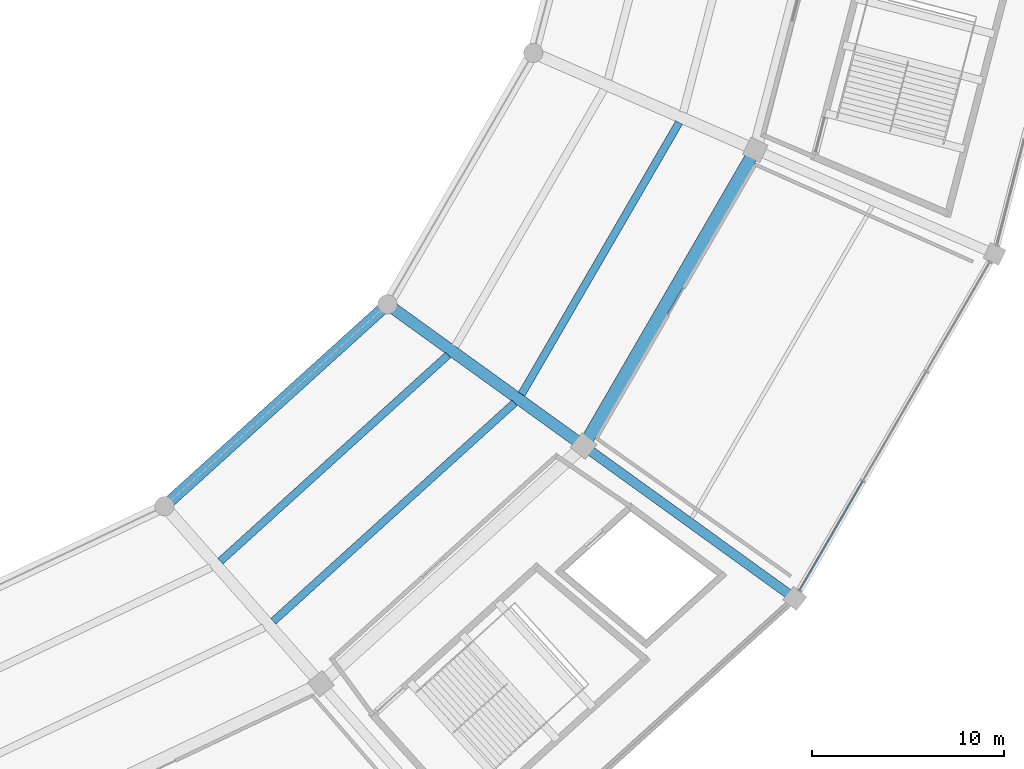
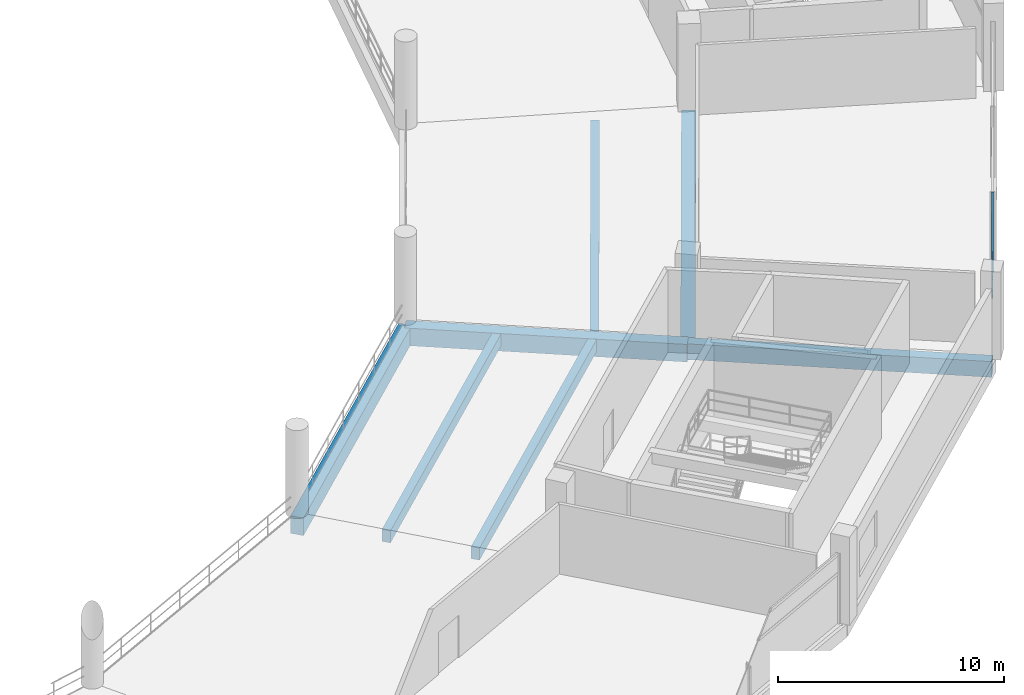
# One storey, part 60 of 171: 7 beams, 2 members, 1 element without a shape of its own.
"""IFC4 building model written with IfcOpenShell, lengths in metres."""

import ifcopenshell
import ifcopenshell.guid

model = None  # the IFC model being written
_history = None  # IfcOwnerHistory: only IFC2X3 demands one
_inside = {}  # id of a spatial element -> (the spatial element, [elements in it])
_under = {}  # id of a project, library or spatial element -> (it, [spatial elements below it])
_declared = {}  # id of a project -> (the project, [libraries it declares])
_typed = {}  # id of a type object -> (the type object, [elements of that type])
_made_of = {}  # id of a material, layer set ... -> (it, [elements and type objects made of it])


def new_model(schema):
    """Start an empty IFC model of exactly this schema.

    Asked for "IFC4X3", IfcOpenShell would pick the latest addendum, in which some entities
    have other attributes; the version numbers below select the first issue.
    IFC2X3 requires an IfcOwnerHistory on every rooted entity: one is made here for all.
    """
    global model, _history
    if schema == "IFC4X3":
        model = ifcopenshell.file(schema_version=(4, 3, 0, 0))
    else:
        model = ifcopenshell.file(schema=schema)
    _inside.clear()
    _under.clear()
    _declared.clear()
    _typed.clear()
    _made_of.clear()
    _history = None
    if model.schema == "IFC2X3":
        org = make("IfcOrganization", Name="unknown")
        user = make(
            "IfcPersonAndOrganization",
            ThePerson=make("IfcPerson", FamilyName="unknown"),
            TheOrganization=org,
        )
        app = make(
            "IfcApplication",
            ApplicationDeveloper=org,
            Version="unknown",
            ApplicationFullName="unknown",
            ApplicationIdentifier="unknown",
        )
        _history = make(
            "IfcOwnerHistory",
            OwningUser=user,
            OwningApplication=app,
            ChangeAction="ADDED",
            CreationDate=0,
        )
    return model


def make(cls, **values):
    """One entity of the class cls with the attributes given. An attribute that is None is left unset."""
    return model.create_entity(
        cls, **{name: value for name, value in values.items() if value is not None}
    )


def rooted(cls, **values):
    """An entity with a GlobalId (a new one), such as an element, a storey or a relation."""
    return make(cls, GlobalId=ifcopenshell.guid.new(), OwnerHistory=_history, **values)


def si_unit(unit_type, name, prefix=None):
    """IfcSIUnit, for example si_unit("LENGTHUNIT", "METRE", prefix="MILLI")."""
    return make("IfcSIUnit", UnitType=unit_type, Prefix=prefix, Name=name)


def assignment(units):
    """IfcUnitAssignment: the units of a project."""
    return None if units is None else make("IfcUnitAssignment", Units=units)


def point(xyz):
    """IfcCartesianPoint."""
    return None if xyz is None else make("IfcCartesianPoint", Coordinates=xyz)


def direction(xyz):
    """IfcDirection."""
    return None if xyz is None else make("IfcDirection", DirectionRatios=xyz)


def frame(location, z_axis=None, x_axis=None):
    """IfcAxis2Placement3D, a coordinate frame: its origin and axes. An axis left out is left unset."""
    return make(
        "IfcAxis2Placement3D",
        Location=point(location),
        Axis=direction(z_axis),
        RefDirection=direction(x_axis),
    )


def frame_2d(location, x_axis=None):
    """IfcAxis2Placement2D, a coordinate frame in the plane: its origin and x axis."""
    return make(
        "IfcAxis2Placement2D", Location=point(location), RefDirection=direction(x_axis)
    )


def origin():
    """The frame at (0, 0, 0) with its axes left unset."""
    return frame((0.0, 0.0, 0.0))


def origin_2d():
    """The frame at (0, 0) in the plane with its x axis left unset."""
    return frame_2d((0.0, 0.0))


def place(relative_to, where):
    """IfcLocalPlacement: puts the frame where relative to a parent placement (None: the world)."""
    return make(
        "IfcLocalPlacement", PlacementRelTo=relative_to, RelativePlacement=where
    )


def context(
    kind, dimensions, precision=None, world=None, true_north=None, identifier=None
):
    """IfcGeometricRepresentationContext, for example the 3D "Model" context."""
    return make(
        "IfcGeometricRepresentationContext",
        ContextIdentifier=identifier,
        ContextType=kind,
        CoordinateSpaceDimension=dimensions,
        Precision=precision,
        WorldCoordinateSystem=world,
        TrueNorth=true_north,
    )


def subcontext(parent, identifier, kind, view, scale=None):
    """IfcGeometricRepresentationSubContext, for example "Body" below "Model"."""
    return make(
        "IfcGeometricRepresentationSubContext",
        ContextIdentifier=identifier,
        ContextType=kind,
        ParentContext=parent,
        TargetScale=scale,
        TargetView=view,
    )


def project(units=None, contexts=None):
    """IfcProject with its units and contexts."""
    return rooted(
        "IfcProject",
        Name="project",
        RepresentationContexts=contexts,
        UnitsInContext=assignment(units),
    )


def spatial(cls, under=None, at=None, **own):
    """A site, building, storey or space (cls), placed at a placement, below another one or the project."""
    s = rooted(cls, ObjectPlacement=at, **own)
    if under is not None:
        _under.setdefault(under.id(), (under, []))[1].append(s)
    return s


def profile(cls, at=None, kind="AREA", **sizes):
    """A parametric profile (cls). Its sizes go by their IFC names, for example OverallWidth=200.0."""
    return make(cls, ProfileType=kind, Position=at, **sizes)


def rectangle(**sizes):
    """IfcRectangleProfileDef."""
    return profile("IfcRectangleProfileDef", **sizes)


def hollow_rectangle(**sizes):
    """IfcRectangleHollowProfileDef."""
    return profile("IfcRectangleHollowProfileDef", **sizes)


def extrude(swept, where, along, depth):
    """IfcExtrudedAreaSolid: the profile swept, set in the frame where, extruded along a direction by depth."""
    return make(
        "IfcExtrudedAreaSolid",
        SweptArea=swept,
        Position=where,
        ExtrudedDirection=direction(along),
        Depth=depth,
    )


def shape(context_of_items, identifier, shape_type, items):
    """IfcShapeRepresentation: the items that make up one representation, for example the "Body"."""
    return make(
        "IfcShapeRepresentation",
        ContextOfItems=context_of_items,
        RepresentationIdentifier=identifier,
        RepresentationType=shape_type,
        Items=items,
    )


def material(Name=None, Category=None):
    """IfcMaterial."""
    return make("IfcMaterial", Name=Name, Category=Category)


def layer(
    of_material, thickness, ventilated=None, Name=None, Category=None, Priority=None
):
    """IfcMaterialLayer: one layer of a wall or slab, of a material (None: an air gap)."""
    return make(
        "IfcMaterialLayer",
        Material=of_material,
        LayerThickness=thickness,
        IsVentilated=ventilated,
        Name=Name,
        Category=Category,
        Priority=Priority,
    )


def layer_set(layers, Name=None):
    """IfcMaterialLayerSet."""
    return make("IfcMaterialLayerSet", MaterialLayers=layers, LayerSetName=Name)


def material_profile(
    of_material, cross_section, Name=None, Category=None, Priority=None
):
    """IfcMaterialProfile: a cross section and its material."""
    return make(
        "IfcMaterialProfile",
        Name=Name,
        Material=of_material,
        Profile=cross_section,
        Priority=Priority,
        Category=Category,
    )


def profile_set(profiles, Name=None, composite=None):
    """IfcMaterialProfileSet."""
    return make(
        "IfcMaterialProfileSet",
        Name=Name,
        MaterialProfiles=profiles,
        CompositeProfile=composite,
    )


def made_of(thing, what):
    """Note that an element or type object is made of a material, layer set ...; save() writes the relation."""
    if what is not None:
        _made_of.setdefault(what.id(), (what, []))[1].append(thing)
    return thing


def type_object(cls, material=None, **own):
    """A type object (cls), such as IfcWallType, which elements share."""
    return made_of(rooted(cls, **own), material)


def element(
    cls,
    number,
    at=None,
    inside=None,
    cuts=None,
    type_object=None,
    material=None,
    context=None,
    identifier="Body",
    shape_type=None,
    held_by="IfcProductDefinitionShape",
    body=None,
    shapes=None,
    **own,
):
    """One element of the class cls, such as IfcWall. Its Tag is "e" and its number.

    at: its placement. inside: the storey or other place that contains it. cuts: it is an
    opening in that element (IfcRelVoidsElement). A single representation is given by context,
    identifier, shape_type and body (its items); several are given by shapes. held_by: the class
    of the entity that holds the representations. save() writes the other relations.
    """
    e = rooted(cls, Tag="e%d" % number, ObjectPlacement=at, **own)
    if body is not None:
        shapes = [shape(context, identifier, shape_type, body)]
    if shapes is not None:
        e.Representation = make(held_by, Representations=shapes)
    if inside is not None:
        _inside.setdefault(inside.id(), (inside, []))[1].append(e)
    if cuts is not None:
        rooted(
            "IfcRelVoidsElement", RelatingBuildingElement=cuts, RelatedOpeningElement=e
        )
    if type_object is not None:
        _typed.setdefault(type_object.id(), (type_object, []))[1].append(e)
    return made_of(e, material)


def aggregate(whole, parts):
    """IfcRelAggregates: a whole, such as a stair, and the parts it consists of."""
    return rooted("IfcRelAggregates", RelatingObject=whole, RelatedObjects=parts)


def save(model, path):
    """Write the relations noted so far, then the file.

    IfcRelAggregates (storeys below a building ...), IfcRelContainedInSpatialStructure (elements
    in a storey), IfcRelDefinesByType, IfcRelAssociatesMaterial and IfcRelDeclares: one each for
    every whole, place, type object, material and project.
    """
    for whole, parts in _under.values():
        aggregate(whole, parts)
    for where, things in _inside.values():
        rooted(
            "IfcRelContainedInSpatialStructure",
            RelatedElements=things,
            RelatingStructure=where,
        )
    for kind, things in _typed.values():
        rooted("IfcRelDefinesByType", RelatedObjects=things, RelatingType=kind)
    for what, things in _made_of.values():
        rooted("IfcRelAssociatesMaterial", RelatedObjects=things, RelatingMaterial=what)
    for by, libraries in _declared.values():
        rooted("IfcRelDeclares", RelatingContext=by, RelatedDefinitions=libraries)
    model.write(path)


model = new_model("IFC4")

# Units and contexts
model_context = context("Model", 3, precision=1e-05, world=origin(), true_north=direction((0.0, 1.0)))
body_context = subcontext(model_context, "Body", "Model", "MODEL_VIEW")
ifc_project = project(units=[si_unit("LENGTHUNIT", "METRE"), si_unit("AREAUNIT", "SQUARE_METRE"), si_unit("VOLUMEUNIT", "CUBIC_METRE"), si_unit("PLANEANGLEUNIT", "RADIAN"), si_unit("MASSUNIT", "GRAM", prefix="KILO")], contexts=[model_context])

# Site, building, storey
site_placement = place(None, origin())
site = spatial("IfcSite", under=ifc_project, at=site_placement, CompositionType="ELEMENT")
building_placement = place(site_placement, origin())
building = spatial("IfcBuilding", under=site, at=building_placement, Name="Kazemori Nagisa Stadium", CompositionType="ELEMENT")
storey_placement = place(building_placement, frame((0.0, 0.0, 15.639892578125)))
storey = spatial("IfcBuildingStorey", under=building, at=storey_placement, Name="L03", CompositionType="ELEMENT", Elevation=15.639892578125)

# Beams
ifc_material_1 = material(Name="Concrete C40/50 (Fc42)", Category="concrete")
ifc_material_profile_1 = material_profile(ifc_material_1, rectangle(XDim=0.5, YDim=0.85009765625, at=origin_2d()), Name="RC-BM-500x850")
ifc_profile_set_1 = profile_set([ifc_material_profile_1], Name="Concrete C40/50 (Fc42)")
beam_type_1 = type_object("IfcBeamType", Name="Beam_BG-RC500X850", PredefinedType="BEAM", material=ifc_profile_set_1)
beam_1_placement = place(storey_placement, frame((190.506103515625, 53.265869140625, -0.684814453125), z_axis=(0.810787509935, -0.585340596349, 0.0), x_axis=(0.585340596349, 0.810787509935, 0.0)))
element("IfcBeam", 1, at=beam_1_placement, inside=storey, type_object=beam_type_1, Name="Radial girder BG-RC500X850 L03 R2-R3-26", PredefinedType="BEAM", context=body_context, shape_type="SweptSolid", body=[
    extrude(rectangle(XDim=0.5, YDim=0.85009765625, at=origin_2d()), origin(), (0.0, 0.0, 1.0), 13.5537109375),
])
ifc_material_profile_2 = material_profile(ifc_material_1, rectangle(XDim=0.60009765625, YDim=0.949951171875, at=origin_2d()), Name="RC-BM-600x950")
ifc_profile_set_2 = profile_set([ifc_material_profile_2], Name="Concrete C40/50 (Fc42)")
beam_type_2 = type_object("IfcBeamType", Name="Beam_BG-RC600X950", PredefinedType="BEAM", material=ifc_profile_set_2)
beam_2_placement = place(storey_placement, frame((168.696533203125, 50.126953125, -0.73486328125), z_axis=(0.741349160152, 0.6711195294, 0.0), x_axis=(-0.6711195294, 0.741349160152, 0.0)))
element("IfcBeam", 2, at=beam_2_placement, inside=storey, type_object=beam_type_2, Name="Ring girder BG-RC600X950 L03 R1-25", PredefinedType="BEAM", context=body_context, shape_type="SweptSolid", body=[
    extrude(rectangle(XDim=0.60009765625, YDim=0.949951171875, at=origin_2d()), origin(), (0.0, 0.0, 1.0), 15.65380859375),
])
beam_3_placement = place(storey_placement, frame((180.301513671875, 60.632568359375, -0.73486328125), z_axis=(0.810802996314, -0.585319144714, 0.0), x_axis=(0.585319144714, 0.810802996314, 0.0)))
element("IfcBeam", 3, at=beam_3_placement, inside=storey, type_object=beam_type_2, Name="Radial girder BG-RC600X950 L03 R1-R2-26", PredefinedType="BEAM", context=body_context, shape_type="SweptSolid", body=[
    extrude(rectangle(XDim=0.60009765625, YDim=0.949951171875, at=origin_2d()), origin(), (0.0, 0.0, 1.0), 12.585693359375),
])
ifc_material_profile_3 = material_profile(ifc_material_1, rectangle(XDim=0.64990234375, YDim=1.050048828125, at=origin_2d()), Name="RC-BM-650x1050")
ifc_profile_set_3 = profile_set([ifc_material_profile_3], Name="Concrete C40/50 (Fc42)")
beam_type_3 = type_object("IfcBeamType", Name="Beam_BG-RC650X1050", PredefinedType="BEAM", material=ifc_profile_set_3)
beam_4_placement = place(storey_placement, frame((190.506103515625, 53.265869140625, -0.784912109375), z_axis=(0.501606704589, 0.865095783085, 0.0), x_axis=(-0.865095783085, 0.501606704589, 0.0)))
element("IfcBeam", 4, at=beam_4_placement, inside=storey, type_object=beam_type_3, Name="Ring girder BG-RC650X1050 L03 R2-26", PredefinedType="BEAM", context=body_context, shape_type="SweptSolid", body=[
    extrude(rectangle(XDim=0.64990234375, YDim=1.050048828125, at=origin_2d()), origin(), (0.0, 0.0, 1.0), 17.8125),
])
ifc_material_profile_4 = material_profile(ifc_material_1, rectangle(XDim=0.39990234375, YDim=0.64990234375, at=origin_2d()), Name="RC-BM-400x650")
ifc_profile_set_4 = profile_set([ifc_material_profile_4], Name="Concrete C40/50 (Fc42)")
beam_type_4 = type_object("IfcBeamType", Name="Beam_BJ-RC400X650", PredefinedType="JOIST", material=ifc_profile_set_4)
beam_5_placement = place(storey_placement, frame((171.60693359375, 47.269287109375, -0.5849609375), z_axis=(0.741344716793, 0.671124437704, 0.0), x_axis=(-0.671124437704, 0.741344716793, 0.0)))
element("IfcBeam", 5, at=beam_5_placement, inside=storey, type_object=beam_type_4, Name="Concourse joist BJ-RC400X650 L03 B25-1", PredefinedType="JOIST", context=body_context, shape_type="SweptSolid", body=[
    extrude(rectangle(XDim=0.39990234375, YDim=0.64990234375, at=origin_2d()), origin(), (0.0, 0.0, 1.0), 15.986328125),
])
beam_6_placement = place(storey_placement, frame((174.361328125, 44.142822265625, -0.5849609375), z_axis=(0.741349213887, 0.671119470041, 0.0), x_axis=(-0.671119470041, 0.741349213887, 0.0)))
element("IfcBeam", 6, at=beam_6_placement, inside=storey, type_object=beam_type_4, Name="Concourse joist BJ-RC400X650 L03 B25-2", PredefinedType="JOIST", context=body_context, shape_type="SweptSolid", body=[
    extrude(rectangle(XDim=0.39990234375, YDim=0.64990234375, at=origin_2d()), origin(), (0.0, 0.0, 1.0), 16.9296875),
])
beam_7_placement = place(storey_placement, frame((187.27880859375, 55.957763671875, -0.5849609375), z_axis=(0.501604213872, 0.865097227268, 0.0), x_axis=(-0.865097227268, 0.501604213872, 0.0)))
element("IfcBeam", 7, at=beam_7_placement, inside=storey, type_object=beam_type_4, Name="Concourse joist BJ-RC400X650 L03 B26-2", PredefinedType="JOIST", context=body_context, shape_type="SweptSolid", body=[
    extrude(rectangle(XDim=0.39990234375, YDim=0.64990234375, at=origin_2d()), origin(), (0.0, 0.0, 1.0), 16.331787109375),
])

# Curtain wall, members
ifc_material_2 = material(Name="Anodised aluminium 6063-T5", Category="aluminium")
ifc_layer = layer(ifc_material_2, 0.2099609375, Name="Anodised aluminium 6063-T5", Category="aluminium")
ifc_layer_set = layer_set([ifc_layer], Name="Anodised aluminium 6063-T5")
curtain_wall_type = type_object("IfcCurtainWallType", Name="CW_L03R3_99", PredefinedType="USERDEFINED", material=ifc_layer_set)
curtain_wall_placement = place(storey_placement, origin())
curtain_wall = element("IfcCurtainWall", 8, at=curtain_wall_placement, inside=storey, type_object=curtain_wall_type, Name="Unitised curtain wall CW-L03R3-99 L03", ObjectType="UNITISED CURTAIN WALL", PredefinedType="USERDEFINED")
ifc_material_3 = material(Name="Aluminium 6063-T5 anodised", Category="aluminium")
ifc_material_profile_5 = material_profile(ifc_material_3, hollow_rectangle(XDim=0.080078125, YDim=0.159912109375, WallThickness=0.00390625, at=origin_2d()), Name="ALU-TRAN-80x160x4")
ifc_profile_set_5 = profile_set([ifc_material_profile_5], Name="Aluminium 6063-T5 anodised")
member_type = type_object("IfcMemberType", Name="Transom_T02", PredefinedType="USERDEFINED", material=ifc_profile_set_5)
member_1_placement = place(storey_placement, frame((201.74365234375, 45.760498046875, 2.705322265625), z_axis=(0.501590295943, 0.865105297069, 0.0), x_axis=(-0.865105297069, 0.501590295943, 0.0)))
member_1 = element("IfcMember", 9, at=member_1_placement, type_object=member_type, Name="Curtain wall transom CW-L03R3-99-T1-mid", ObjectType="TRANSOM", PredefinedType="USERDEFINED", context=body_context, shape_type="SweptSolid", body=[
    extrude(hollow_rectangle(XDim=0.080078125, YDim=0.159912109375, WallThickness=0.00390625, at=origin_2d()), origin(), (0.0, 0.0, 1.0), 6.547607421875),
])
member_2_placement = place(storey_placement, frame((201.74365234375, 45.760498046875, 3.739990234375), z_axis=(0.501590295943, 0.865105297069, 0.0), x_axis=(-0.865105297069, 0.501590295943, 0.0)))
member_2 = element("IfcMember", 10, at=member_2_placement, type_object=member_type, Name="Curtain wall transom CW-L03R3-99-T1-head", ObjectType="TRANSOM", PredefinedType="USERDEFINED", context=body_context, shape_type="SweptSolid", body=[
    extrude(hollow_rectangle(XDim=0.080078125, YDim=0.159912109375, WallThickness=0.00390625, at=origin_2d()), origin(), (0.0, 0.0, 1.0), 6.547607421875),
])
aggregate(curtain_wall, [member_1, member_2])

save(model, "model.ifc")
